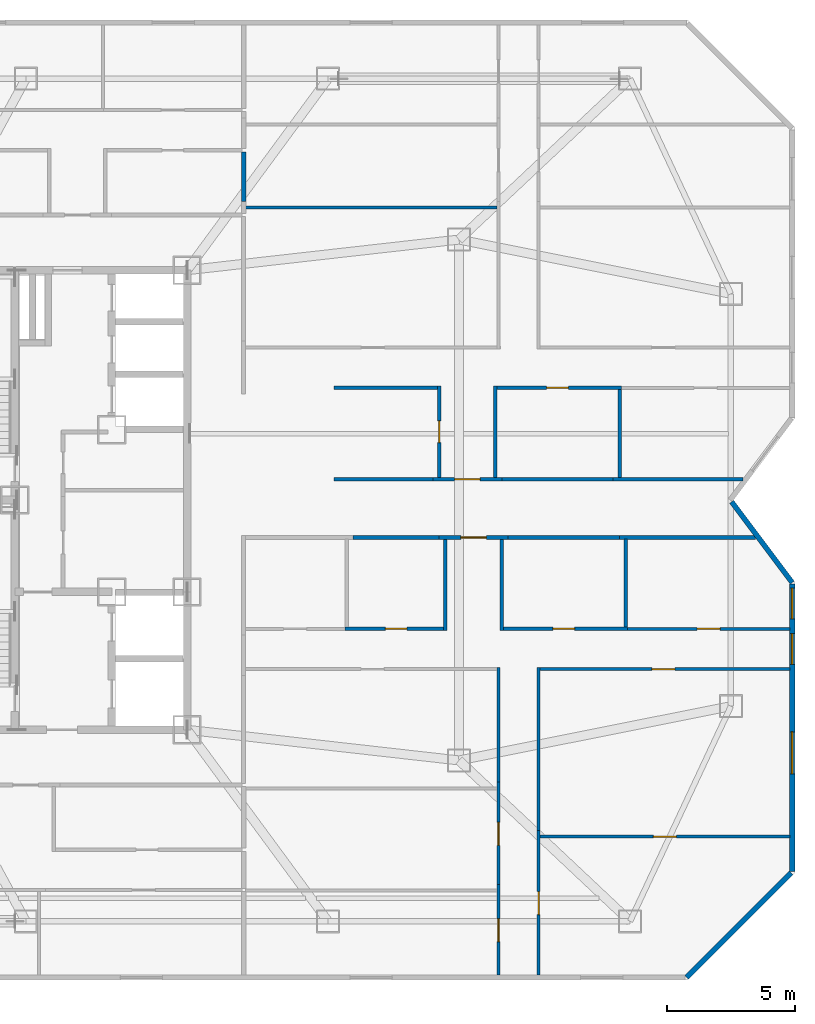
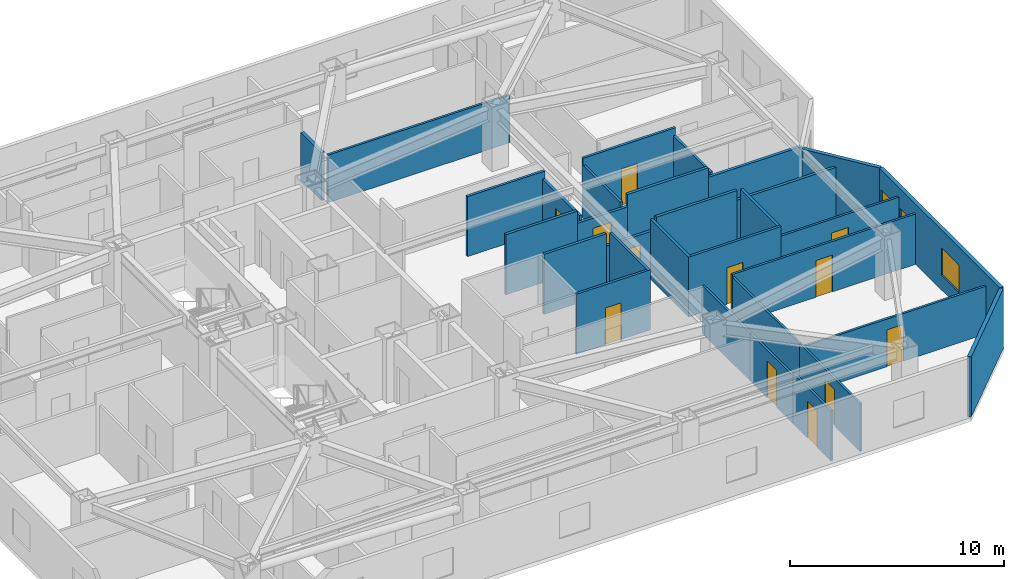
# One storey, part 8 of 11: 31 walls, 12 doors, 3 windows, 15 openings.
"""IFC4 building model written with IfcOpenShell, lengths in metres."""

from ifc_helpers import new_model, si_unit, direction, frame, frame_2d, origin, place, context, subcontext, project, spatial, rectangle, extrude, material, layer, layer_set, type_object, element, fill, save


model = new_model("IFC4")

# Units and contexts
model_context = context("Model", 3, precision=1e-05, world=origin(), true_north=direction((0.0, 1.0)))
body_context = subcontext(model_context, "Body", "Model", "MODEL_VIEW")
ifc_project = project(units=[si_unit("LENGTHUNIT", "METRE"), si_unit("AREAUNIT", "SQUARE_METRE"), si_unit("VOLUMEUNIT", "CUBIC_METRE"), si_unit("PLANEANGLEUNIT", "RADIAN"), si_unit("MASSUNIT", "GRAM", prefix="KILO")], contexts=[model_context])

# Site, building, storey
site_placement = place(None, origin())
site = spatial("IfcSite", under=ifc_project, at=site_placement, CompositionType="ELEMENT")
building_placement = place(site_placement, origin())
building = spatial("IfcBuilding", under=site, at=building_placement, Name="Khamvora Tower", CompositionType="ELEMENT")
storey_placement = place(building_placement, frame((0.0, 0.0, 163.199951171875)))
storey = spatial("IfcBuildingStorey", under=building, at=storey_placement, Name="L41", CompositionType="ELEMENT", Elevation=163.199951171875)

# Wall
ifc_material_1 = material(Name="Fire-Rated Drywall and Steel Stud", Category="steel")
ifc_layer_1 = layer(ifc_material_1, 0.14990234375)
ifc_layer_set_1 = layer_set([ifc_layer_1], Name="Fire-Rated Drywall and Steel Stud")
wall_type_1 = type_object("IfcWallType", Name="WAL-CORR-150", PredefinedType="STANDARD", material=ifc_layer_set_1)
wall_1_placement = place(storey_placement, frame((61.669921875, 26.534912109375, 0.0), z_axis=(0.0, 0.0, 1.0), x_axis=(-1.0, 0.0, 0.0)))
element("IfcWall", 1, at=wall_1_placement, inside=storey, type_object=wall_type_1, Name="L41 interior partition wall 024", PredefinedType="STANDARD", context=body_context, shape_type="SweptSolid", body=[
    extrude(rectangle(XDim=5.3359375, YDim=0.14990234375, at=frame_2d((2.66796875, 0.0))), origin(), (0.0, 0.0, 1.0), 2.8759765625),
])

# Wall, opening, door
wall_2_placement = place(storey_placement, frame((51.967041015625, 26.534912109375, 0.0), z_axis=(0.0, 0.0, 1.0), x_axis=(-1.0, 0.0, 0.0)))
wall_2 = element("IfcWall", 2, at=wall_2_placement, inside=storey, type_object=wall_type_1, Name="L41 interior partition wall 025", PredefinedType="STANDARD", context=body_context, shape_type="SweptSolid", body=[
    extrude(rectangle(XDim=2.697998046875, YDim=0.14990234375, at=frame_2d((1.34912109375, 0.0))), origin(), (0.0, 0.0, 1.0), 2.72509765625),
])
opening_1_placement = place(wall_2_placement, frame((0.84912109375, 0.0, 0.0)))
opening_1 = element("IfcOpeningElement", 3, at=opening_1_placement, cuts=wall_2, Name="Opening D-U1", PredefinedType="OPENING", context=body_context, shape_type="SweptSolid", body=[
    extrude(rectangle(XDim=1.0, YDim=2.14990234375, at=frame_2d((0.5, 1.074951171875))), frame((0.0, 0.0849609375, 0.0), z_axis=(0.0, -1.0, 0.0), x_axis=(1.0, 0.0, 0.0)), (0.0, 0.0, 1.0), 0.169921875),
])
ifc_material_2 = material(Name="Powder-Coated Steel and Hardwood Leaf", Category="steel")
door_type_1 = type_object("IfcDoorType", Name="DOR-UNIT-1000", OperationType="NOTDEFINED", PredefinedType="DOOR", material=ifc_material_2)
door_1_placement = place(opening_1_placement, origin())
door_1 = element("IfcDoor", 4, at=door_1_placement, inside=storey, type_object=door_type_1, Name="L41 interior door COR-41EAH", OperationType="SINGLE_SWING_LEFT", OverallHeight=2.14990234375, OverallWidth=1.0, PredefinedType="DOOR", context=body_context, shape_type="SweptSolid", body=[
    extrude(rectangle(XDim=1.0, YDim=2.14990234375, at=frame_2d((0.5, 1.074951171875))), frame((0.0, 0.02490234375, 0.0), z_axis=(0.0, -1.0, 0.0), x_axis=(1.0, 0.0, 0.0)), (0.0, 0.0, 1.0), 0.050048828125),
])
fill(opening_1, door_1)

# Walls
wall_3_placement = place(storey_placement, frame((49.26904296875, 26.534912109375, 0.0), z_axis=(0.0, 0.0, 1.0), x_axis=(-1.0, 0.0, 0.0)))
element("IfcWall", 5, at=wall_3_placement, inside=storey, type_object=wall_type_1, Name="L41 interior partition wall 027", PredefinedType="STANDARD", context=body_context, shape_type="SweptSolid", body=[
    extrude(rectangle(XDim=3.366943359375, YDim=0.14990234375, at=frame_2d((1.68359375, 0.0))), origin(), (0.0, 0.0, 1.0), 3.429931640625),
])
wall_4_placement = place(storey_placement, frame((56.333984375, 26.534912109375, 0.0), z_axis=(0.0, 0.0, 1.0), x_axis=(-1.0, 0.0, 0.0)))
element("IfcWall", 6, at=wall_4_placement, inside=storey, type_object=wall_type_1, Name="L41 interior partition wall 028", PredefinedType="STANDARD", context=body_context, shape_type="SweptSolid", body=[
    extrude(rectangle(XDim=4.366943359375, YDim=0.14990234375, at=frame_2d((2.18359375, 0.0))), origin(), (0.0, 0.0, 1.0), 3.429931640625),
])
wall_5_placement = place(storey_placement, frame((56.090087890625, 28.81494140625, 0.0), z_axis=(0.0, 0.0, 1.0), x_axis=(1.0, 0.0, 0.0)))
element("IfcWall", 7, at=wall_5_placement, inside=storey, type_object=wall_type_1, Name="L41 interior partition wall 030", PredefinedType="STANDARD", context=body_context, shape_type="SweptSolid", body=[
    extrude(rectangle(XDim=5.091796875, YDim=0.14990234375, at=frame_2d((2.5458984375, 0.0))), origin(), (0.0, 0.0, 1.0), 2.8759765625),
])

# Wall, opening, door
wall_6_placement = place(storey_placement, frame((49.02490234375, 28.81494140625, 0.0), z_axis=(0.0, 0.0, 1.0), x_axis=(1.0, 0.0, 0.0)))
wall_6 = element("IfcWall", 8, at=wall_6_placement, inside=storey, type_object=wall_type_1, Name="L41 interior partition wall 032", PredefinedType="STANDARD", context=body_context, shape_type="SweptSolid", body=[
    extrude(rectangle(XDim=2.69921875, YDim=0.14990234375, at=frame_2d((1.349609375, 0.0))), origin(), (0.0, 0.0, 1.0), 2.72509765625),
])
opening_2_placement = place(wall_6_placement, frame((0.84912109375, 0.0, 0.0)))
opening_2 = element("IfcOpeningElement", 9, at=opening_2_placement, cuts=wall_6, Name="Opening D-U1", PredefinedType="OPENING", context=body_context, shape_type="SweptSolid", body=[
    extrude(rectangle(XDim=1.0, YDim=2.14990234375, at=frame_2d((0.5, 1.074951171875))), frame((0.0, 0.0849609375, 0.0), z_axis=(0.0, -1.0, 0.0), x_axis=(1.0, 0.0, 0.0)), (0.0, 0.0, 1.0), 0.169921875),
])
door_2_placement = place(opening_2_placement, origin())
door_2 = element("IfcDoor", 10, at=door_2_placement, inside=storey, type_object=door_type_1, Name="L41 interior door COR-41EBH", OperationType="SINGLE_SWING_RIGHT", OverallHeight=2.14990234375, OverallWidth=1.0, PredefinedType="DOOR", context=body_context, shape_type="SweptSolid", body=[
    extrude(rectangle(XDim=1.0, YDim=2.14990234375, at=frame_2d((0.5, 1.074951171875))), frame((0.0, 0.02490234375, 0.0), z_axis=(0.0, -1.0, 0.0), x_axis=(1.0, 0.0, 0.0)), (0.0, 0.0, 1.0), 0.050048828125),
])
fill(opening_2, door_2)

# Walls
wall_7_placement = place(storey_placement, frame((45.159912109375, 28.81494140625, 0.0), z_axis=(0.0, 0.0, 1.0), x_axis=(1.0, 0.0, 0.0)))
element("IfcWall", 11, at=wall_7_placement, inside=storey, type_object=wall_type_1, Name="L41 interior partition wall 033", PredefinedType="STANDARD", context=body_context, shape_type="SweptSolid", body=[
    extrude(rectangle(XDim=3.864990234375, YDim=0.14990234375, at=frame_2d((1.9326171875, 0.0))), origin(), (0.0, 0.0, 1.0), 3.429931640625),
])
wall_8_placement = place(storey_placement, frame((51.72412109375, 28.81494140625, 0.0), z_axis=(0.0, 0.0, 1.0), x_axis=(1.0, 0.0, 0.0)))
element("IfcWall", 12, at=wall_8_placement, inside=storey, type_object=wall_type_1, Name="L41 interior partition wall 034", PredefinedType="STANDARD", context=body_context, shape_type="SweptSolid", body=[
    extrude(rectangle(XDim=4.365966796875, YDim=0.14990234375, at=frame_2d((2.18310546875, 0.0))), origin(), (0.0, 0.0, 1.0), 3.429931640625),
])
ifc_material_3 = material(Name="Acoustic Double-Stud Fire Wall", Category="gypsum")
ifc_layer_2 = layer(ifc_material_3, 0.179931640625)
ifc_layer_set_2 = layer_set([ifc_layer_2], Name="Acoustic Double-Stud Fire Wall")
wall_type_2 = type_object("IfcWallType", Name="WAL-CORR-180", PredefinedType="STANDARD", material=ifc_layer_set_2)
wall_9_placement = place(storey_placement, frame((41.614990234375, 41.6298828125, 0.0), z_axis=(0.0, 0.0, 1.0), x_axis=(0.0, -1.0, 0.0)))
element("IfcWall", 13, at=wall_9_placement, inside=storey, type_object=wall_type_2, Name="L41 interior partition wall 082", PredefinedType="STANDARD", context=body_context, shape_type="SweptSolid", body=[
    extrude(rectangle(XDim=1.928955078125, YDim=0.179931640625, at=frame_2d((0.96435546875, 0.0))), origin(), (0.0, 0.0, 1.0), 2.72509765625),
])
ifc_material_4 = material(Name="Precast concrete C40/50", Category="concrete")
ifc_layer_3 = layer(ifc_material_4, 0.199951171875)
ifc_layer_set_3 = layer_set([ifc_layer_3], Name="Precast concrete C40/50")
wall_type_3 = type_object("IfcWallType", Name="WAL-EXT-200", PredefinedType="STANDARD", material=ifc_layer_set_3)
wall_10_placement = place(storey_placement, frame((60.72705078125, 27.930908203125, 0.0), z_axis=(0.0, 0.0, 1.0), x_axis=(0.600029630681, -0.799977776132, 0.0)))
element("IfcWall", 14, at=wall_10_placement, inside=storey, type_object=wall_type_3, Name="L41 exterior facade wall 11.1", PredefinedType="STANDARD", context=body_context, shape_type="SweptSolid", body=[
    extrude(rectangle(XDim=3.954833984375, YDim=0.199951171875, at=frame_2d((1.9775390625, 0.0))), origin(), (0.0, 0.0, 1.0), 3.429931640625),
])

# Wall, openings, windows
wall_11_placement = place(storey_placement, frame((63.10009765625, 24.717041015625, 0.0), z_axis=(0.0, 0.0, 1.0), x_axis=(0.0, -1.0, 0.0)))
wall_11 = element("IfcWall", 15, at=wall_11_placement, inside=storey, type_object=wall_type_3, Name="L41 exterior facade wall 12.1", PredefinedType="STANDARD", context=body_context, shape_type="SweptSolid", body=[
    extrude(rectangle(XDim=11.276123046875, YDim=0.199951171875, at=frame_2d((5.63818359375, 0.0))), origin(), (0.0, 0.0, 1.0), 3.429931640625),
])
opening_3_placement = place(wall_11_placement, frame((0.173095703125, 0.0, 0.800048828125)))
opening_3 = element("IfcOpeningElement", 16, at=opening_3_placement, cuts=wall_11, Name="Opening WN-03", PredefinedType="OPENING", context=body_context, shape_type="SweptSolid", body=[
    extrude(rectangle(XDim=1.199951171875, YDim=1.5, at=frame_2d((0.60009765625, 0.75))), frame((0.0, 0.10986328125, 0.0), z_axis=(0.0, -1.0, 0.0), x_axis=(1.0, 0.0, 0.0)), (0.0, 0.0, 1.0), 0.219970703125),
])
opening_4_placement = place(wall_11_placement, frame((1.951904296875, 0.0, 0.800048828125)))
opening_4 = element("IfcOpeningElement", 17, at=opening_4_placement, cuts=wall_11, Name="Opening WN-03", PredefinedType="OPENING", context=body_context, shape_type="SweptSolid", body=[
    extrude(rectangle(XDim=1.199951171875, YDim=1.5, at=frame_2d((0.60009765625, 0.75))), frame((0.0, 0.10986328125, 0.0), z_axis=(0.0, -1.0, 0.0), x_axis=(1.0, 0.0, 0.0)), (0.0, 0.0, 1.0), 0.219970703125),
])
opening_5_placement = place(wall_11_placement, frame((5.798095703125, 0.0, 0.85009765625)))
opening_5 = element("IfcOpeningElement", 18, at=opening_5_placement, cuts=wall_11, Name="Opening WN-06", PredefinedType="OPENING", context=body_context, shape_type="SweptSolid", body=[
    extrude(rectangle(XDim=1.64990234375, YDim=1.550048828125, at=frame_2d((0.824951171875, 0.77490234375))), frame((0.0, 0.10986328125, 0.0), z_axis=(0.0, -1.0, 0.0), x_axis=(1.0, 0.0, 0.0)), (0.0, 0.0, 1.0), 0.219970703125),
])
ifc_material_5 = material(Name="Low-E Laminated Double Glazing", Category="glass")
window_type_1 = type_object("IfcWindowType", Name="WIN-VIS-1200x1500", PartitioningType="SINGLE_PANEL", PredefinedType="WINDOW", material=ifc_material_5)
window_1_placement = place(opening_3_placement, origin())
window_1 = element("IfcWindow", 19, at=window_1_placement, inside=storey, type_object=window_type_1, Name="L41 vision window 12.1.01", OverallHeight=1.5, OverallWidth=1.199951171875, PartitioningType="SINGLE_PANEL", PredefinedType="WINDOW", context=body_context, shape_type="SweptSolid", body=[
    extrude(rectangle(XDim=1.199951171875, YDim=1.5, at=frame_2d((0.60009765625, 0.75))), frame((0.0, 0.030029296875, 0.0), z_axis=(0.0, -1.0, 0.0), x_axis=(1.0, 0.0, 0.0)), (0.0, 0.0, 1.0), 0.06005859375),
])
fill(opening_3, window_1)
window_2_placement = place(opening_4_placement, origin())
window_2 = element("IfcWindow", 20, at=window_2_placement, inside=storey, type_object=window_type_1, Name="L41 vision window 12.1.02", OverallHeight=1.5, OverallWidth=1.199951171875, PartitioningType="SINGLE_PANEL", PredefinedType="WINDOW", context=body_context, shape_type="SweptSolid", body=[
    extrude(rectangle(XDim=1.199951171875, YDim=1.5, at=frame_2d((0.60009765625, 0.75))), frame((0.0, 0.030029296875, 0.0), z_axis=(0.0, -1.0, 0.0), x_axis=(1.0, 0.0, 0.0)), (0.0, 0.0, 1.0), 0.06005859375),
])
fill(opening_4, window_2)
window_type_2 = type_object("IfcWindowType", Name="WIN-VIS-1650x1550", PartitioningType="SINGLE_PANEL", PredefinedType="WINDOW", material=ifc_material_5)
window_3_placement = place(opening_5_placement, origin())
window_3 = element("IfcWindow", 21, at=window_3_placement, inside=storey, type_object=window_type_2, Name="L41 vision window 12.1.03", OverallHeight=1.550048828125, OverallWidth=1.64990234375, PartitioningType="SINGLE_PANEL", PredefinedType="WINDOW", context=body_context, shape_type="SweptSolid", body=[
    extrude(rectangle(XDim=1.64990234375, YDim=1.550048828125, at=frame_2d((0.824951171875, 0.77490234375))), frame((0.0, 0.030029296875, 0.0), z_axis=(0.0, -1.0, 0.0), x_axis=(1.0, 0.0, 0.0)), (0.0, 0.0, 1.0), 0.06005859375),
])
fill(opening_5, window_3)

# Wall
wall_12_placement = place(storey_placement, frame((63.056884765625, 13.39794921875, 0.0), z_axis=(0.0, 0.0, 1.0), x_axis=(-0.707106781187, -0.707106781187, 0.0)))
element("IfcWall", 22, at=wall_12_placement, inside=storey, type_object=wall_type_3, Name="L41 exterior facade wall 13.1", PredefinedType="STANDARD", context=body_context, shape_type="SweptSolid", body=[
    extrude(rectangle(XDim=5.79541015625, YDim=0.199951171875, at=frame_2d((2.897705078125, 0.0))), origin(), (0.0, 0.0, 1.0), 3.429931640625),
])

# Wall, opening, door
ifc_material_6 = material(Name="Gypsum Plasterboard Partition", Category="gypsum")
ifc_layer_4 = layer(ifc_material_6, 0.1201171875)
ifc_layer_set_4 = layer_set([ifc_layer_4], Name="Gypsum Plasterboard Partition")
wall_type_4 = type_object("IfcWallType", Name="WAL-PART-120", PredefinedType="PARTITIONING", material=ifc_layer_set_4)
wall_13_placement = place(storey_placement, frame((63.008056640625, 22.955078125, 0.0), z_axis=(0.0, 0.0, 1.0), x_axis=(-1.0, 0.0, 0.0)))
wall_13 = element("IfcWall", 23, at=wall_13_placement, inside=storey, type_object=wall_type_4, Name="L41 interior partition wall 087", PredefinedType="PARTITIONING", context=body_context, shape_type="SweptSolid", body=[
    extrude(rectangle(XDim=6.360107421875, YDim=0.1201171875, at=frame_2d((3.18017578125, 0.0))), origin(), (0.0, 0.0, 1.0), 2.8759765625),
])
opening_6_placement = place(wall_13_placement, frame((2.72998046875, 0.0, 0.0)))
opening_6 = element("IfcOpeningElement", 24, at=opening_6_placement, cuts=wall_13, Name="Opening D-RM1", PredefinedType="OPENING", context=body_context, shape_type="SweptSolid", body=[
    extrude(rectangle(XDim=0.89990234375, YDim=2.10009765625, at=frame_2d((0.449951171875, 1.050048828125))), frame((0.0, 0.070068359375, 0.0), z_axis=(0.0, -1.0, 0.0), x_axis=(1.0, 0.0, 0.0)), (0.0, 0.0, 1.0), 0.14013671875),
])
door_type_2 = type_object("IfcDoorType", Name="DOR-ROOM-900", OperationType="NOTDEFINED", PredefinedType="DOOR", material=ifc_material_2)
door_3_placement = place(opening_6_placement, origin())
door_3 = element("IfcDoor", 25, at=door_3_placement, inside=storey, type_object=door_type_2, Name="L41 interior door 41EAW2-41EAH", OperationType="SINGLE_SWING_LEFT", OverallHeight=2.10009765625, OverallWidth=0.89990234375, PredefinedType="DOOR", context=body_context, shape_type="SweptSolid", body=[
    extrude(rectangle(XDim=0.89990234375, YDim=2.10009765625, at=frame_2d((0.449951171875, 1.050048828125))), frame((0.0, 0.02490234375, 0.0), z_axis=(0.0, -1.0, 0.0), x_axis=(1.0, 0.0, 0.0)), (0.0, 0.0, 1.0), 0.050048828125),
])
fill(opening_6, door_3)

wall_14_placement = place(storey_placement, frame((51.60009765625, 9.39208984375, 0.0), z_axis=(0.0, 0.0, 1.0), x_axis=(0.0, 1.0, 0.0)))
wall_14 = element("IfcWall", 26, at=wall_14_placement, inside=storey, type_object=wall_type_4, Name="L41 interior partition wall 093", PredefinedType="PARTITIONING", context=body_context, shape_type="SweptSolid", body=[
    extrude(rectangle(XDim=3.555908203125, YDim=0.1201171875, at=frame_2d((1.77783203125, 0.0))), origin(), (0.0, 0.0, 1.0), 2.8759765625),
])
opening_7_placement = place(wall_14_placement, frame((1.306884765625, 0.0, 0.0)))
opening_7 = element("IfcOpeningElement", 27, at=opening_7_placement, cuts=wall_14, Name="Opening D-RM1", PredefinedType="OPENING", context=body_context, shape_type="SweptSolid", body=[
    extrude(rectangle(XDim=0.89990234375, YDim=2.10009765625, at=frame_2d((0.449951171875, 1.050048828125))), frame((0.0, 0.070068359375, 0.0), z_axis=(0.0, -1.0, 0.0), x_axis=(1.0, 0.0, 0.0)), (0.0, 0.0, 1.0), 0.14013671875),
])
door_4_placement = place(opening_7_placement, origin())
door_4 = element("IfcDoor", 28, at=door_4_placement, inside=storey, type_object=door_type_2, Name="L41 interior door 41EAH-41EAL", OperationType="SINGLE_SWING_RIGHT", OverallHeight=2.10009765625, OverallWidth=0.89990234375, PredefinedType="DOOR", context=body_context, shape_type="SweptSolid", body=[
    extrude(rectangle(XDim=0.89990234375, YDim=2.10009765625, at=frame_2d((0.449951171875, 1.050048828125))), frame((0.0, 0.02490234375, 0.0), z_axis=(0.0, -1.0, 0.0), x_axis=(1.0, 0.0, 0.0)), (0.0, 0.0, 1.0), 0.050048828125),
])
fill(opening_7, door_4)

wall_15_placement = place(storey_placement, frame((51.60009765625, 12.947998046875, 0.0), z_axis=(0.0, 0.0, 1.0), x_axis=(0.0, 1.0, 0.0)))
wall_15 = element("IfcWall", 29, at=wall_15_placement, inside=storey, type_object=wall_type_4, Name="L41 interior partition wall 094", PredefinedType="PARTITIONING", context=body_context, shape_type="SweptSolid", body=[
    extrude(rectangle(XDim=4.0, YDim=0.1201171875, at=frame_2d((2.0, 0.0))), origin(), (0.0, 0.0, 1.0), 2.72509765625),
])
opening_8_placement = place(wall_15_placement, frame((1.529052734375, 0.0, 0.0)))
opening_8 = element("IfcOpeningElement", 30, at=opening_8_placement, cuts=wall_15, Name="Opening D-RM1", PredefinedType="OPENING", context=body_context, shape_type="SweptSolid", body=[
    extrude(rectangle(XDim=0.89990234375, YDim=2.10009765625, at=frame_2d((0.449951171875, 1.050048828125))), frame((0.0, 0.070068359375, 0.0), z_axis=(0.0, -1.0, 0.0), x_axis=(1.0, 0.0, 0.0)), (0.0, 0.0, 1.0), 0.14013671875),
])
door_5_placement = place(opening_8_placement, origin())
door_5 = element("IfcDoor", 31, at=door_5_placement, inside=storey, type_object=door_type_2, Name="L41 interior door 41EAH-41EAR2", OperationType="SINGLE_SWING_LEFT", OverallHeight=2.10009765625, OverallWidth=0.89990234375, PredefinedType="DOOR", context=body_context, shape_type="SweptSolid", body=[
    extrude(rectangle(XDim=0.89990234375, YDim=2.10009765625, at=frame_2d((0.449951171875, 1.050048828125))), frame((0.0, 0.02490234375, 0.0), z_axis=(0.0, -1.0, 0.0), x_axis=(1.0, 0.0, 0.0)), (0.0, 0.0, 1.0), 0.050048828125),
])
fill(opening_8, door_5)

# Wall
wall_16_placement = place(storey_placement, frame((51.60009765625, 16.947998046875, 0.0), z_axis=(0.0, 0.0, 1.0), x_axis=(0.0, 1.0, 0.0)))
element("IfcWall", 32, at=wall_16_placement, inside=storey, type_object=wall_type_4, Name="L41 interior partition wall 095", PredefinedType="PARTITIONING", context=body_context, shape_type="SweptSolid", body=[
    extrude(rectangle(XDim=4.491943359375, YDim=0.1201171875, at=frame_2d((2.24609375, 0.0))), origin(), (0.0, 0.0, 1.0), 2.72509765625),
])

# Wall, opening, door
wall_17_placement = place(storey_placement, frame((53.169921875, 15.06298828125, 0.0), z_axis=(0.0, 0.0, 1.0), x_axis=(0.0, -1.0, 0.0)))
wall_17 = element("IfcWall", 33, at=wall_17_placement, inside=storey, type_object=wall_type_4, Name="L41 interior partition wall 097", PredefinedType="PARTITIONING", context=body_context, shape_type="SweptSolid", body=[
    extrude(rectangle(XDim=5.6708984375, YDim=0.1201171875, at=frame_2d((2.83544921875, 0.0))), origin(), (0.0, 0.0, 1.0), 2.72509765625),
])
opening_9_placement = place(wall_17_placement, frame((2.406005859375, 0.0, 0.0)))
opening_9 = element("IfcOpeningElement", 34, at=opening_9_placement, cuts=wall_17, Name="Opening D-RM1", PredefinedType="OPENING", context=body_context, shape_type="SweptSolid", body=[
    extrude(rectangle(XDim=0.89990234375, YDim=2.10009765625, at=frame_2d((0.449951171875, 1.050048828125))), frame((0.0, 0.070068359375, 0.0), z_axis=(0.0, -1.0, 0.0), x_axis=(1.0, 0.0, 0.0)), (0.0, 0.0, 1.0), 0.14013671875),
])
door_6_placement = place(opening_9_placement, origin())
door_6 = element("IfcDoor", 35, at=door_6_placement, inside=storey, type_object=door_type_2, Name="L41 interior door 41EAH-41EAR4", OperationType="SINGLE_SWING_LEFT", OverallHeight=2.10009765625, OverallWidth=0.89990234375, PredefinedType="DOOR", context=body_context, shape_type="SweptSolid", body=[
    extrude(rectangle(XDim=0.89990234375, YDim=2.10009765625, at=frame_2d((0.449951171875, 1.050048828125))), frame((0.0, 0.02490234375, 0.0), z_axis=(0.0, -1.0, 0.0), x_axis=(1.0, 0.0, 0.0)), (0.0, 0.0, 1.0), 0.050048828125),
])
fill(opening_9, door_6)

wall_18_placement = place(storey_placement, frame((63.008056640625, 21.375, 0.0), z_axis=(0.0, 0.0, 1.0), x_axis=(-1.0, 0.0, 0.0)))
wall_18 = element("IfcWall", 36, at=wall_18_placement, inside=storey, type_object=wall_type_4, Name="L41 interior partition wall 098", PredefinedType="PARTITIONING", context=body_context, shape_type="SweptSolid", body=[
    extrude(rectangle(XDim=9.903076171875, YDim=0.1201171875, at=frame_2d((4.95166015625, 0.0))), origin(), (0.0, 0.0, 1.0), 2.8759765625),
])
opening_10_placement = place(wall_18_placement, frame((4.501953125, 0.0, 0.0)))
opening_10 = element("IfcOpeningElement", 37, at=opening_10_placement, cuts=wall_18, Name="Opening D-RM1", PredefinedType="OPENING", context=body_context, shape_type="SweptSolid", body=[
    extrude(rectangle(XDim=0.89990234375, YDim=2.10009765625, at=frame_2d((0.449951171875, 1.050048828125))), frame((0.0, 0.070068359375, 0.0), z_axis=(0.0, -1.0, 0.0), x_axis=(1.0, 0.0, 0.0)), (0.0, 0.0, 1.0), 0.14013671875),
])
door_7_placement = place(opening_10_placement, origin())
door_7 = element("IfcDoor", 38, at=door_7_placement, inside=storey, type_object=door_type_2, Name="L41 interior door 41EAH-41EAR5", OperationType="SINGLE_SWING_RIGHT", OverallHeight=2.10009765625, OverallWidth=0.89990234375, PredefinedType="DOOR", context=body_context, shape_type="SweptSolid", body=[
    extrude(rectangle(XDim=0.89990234375, YDim=2.10009765625, at=frame_2d((0.449951171875, 1.050048828125))), frame((0.0, 0.02490234375, 0.0), z_axis=(0.0, -1.0, 0.0), x_axis=(1.0, 0.0, 0.0)), (0.0, 0.0, 1.0), 0.050048828125),
])
fill(opening_10, door_7)

# Wall
wall_19_placement = place(storey_placement, frame((53.169921875, 21.43994140625, 0.0), z_axis=(0.0, 0.0, 1.0), x_axis=(0.0, -1.0, 0.0)))
element("IfcWall", 39, at=wall_19_placement, inside=storey, type_object=wall_type_4, Name="L41 interior partition wall 099", PredefinedType="PARTITIONING", context=body_context, shape_type="SweptSolid", body=[
    extrude(rectangle(XDim=6.376953125, YDim=0.1201171875, at=frame_2d((3.1884765625, 0.0))), origin(), (0.0, 0.0, 1.0), 2.72509765625),
])

# Wall, opening, door
wall_20_placement = place(storey_placement, frame((53.22412109375, 14.81396484375, 0.0), z_axis=(0.0, 0.0, 1.0), x_axis=(1.0, 0.0, 0.0)))
wall_20 = element("IfcWall", 40, at=wall_20_placement, inside=storey, type_object=wall_type_4, Name="L41 interior partition wall 102", PredefinedType="PARTITIONING", context=body_context, shape_type="SweptSolid", body=[
    extrude(rectangle(XDim=9.783935546875, YDim=0.1201171875, at=frame_2d((4.89208984375, 0.0))), origin(), (0.0, 0.0, 1.0), 2.72509765625),
])
opening_11_placement = place(wall_20_placement, frame((4.44189453125, 0.0, 0.0)))
opening_11 = element("IfcOpeningElement", 41, at=opening_11_placement, cuts=wall_20, Name="Opening D-RM1", PredefinedType="OPENING", context=body_context, shape_type="SweptSolid", body=[
    extrude(rectangle(XDim=0.89990234375, YDim=2.10009765625, at=frame_2d((0.449951171875, 1.050048828125))), frame((0.0, 0.070068359375, 0.0), z_axis=(0.0, -1.0, 0.0), x_axis=(1.0, 0.0, 0.0)), (0.0, 0.0, 1.0), 0.14013671875),
])
door_8_placement = place(opening_11_placement, origin())
door_8 = element("IfcDoor", 42, at=door_8_placement, inside=storey, type_object=door_type_2, Name="L41 interior door 41EAR4-41EAR5", OperationType="SINGLE_SWING_LEFT", OverallHeight=2.10009765625, OverallWidth=0.89990234375, PredefinedType="DOOR", context=body_context, shape_type="SweptSolid", body=[
    extrude(rectangle(XDim=0.89990234375, YDim=2.10009765625, at=frame_2d((0.449951171875, 1.050048828125))), frame((0.0, 0.02490234375, 0.0), z_axis=(0.0, -1.0, 0.0), x_axis=(1.0, 0.0, 0.0)), (0.0, 0.0, 1.0), 0.050048828125),
])
fill(opening_11, door_8)

# Walls
wall_21_placement = place(storey_placement, frame((41.697021484375, 39.451904296875, 0.0), z_axis=(0.0, 0.0, 1.0), x_axis=(1.0, 0.0, 0.0)))
element("IfcWall", 43, at=wall_21_placement, inside=storey, type_object=wall_type_4, Name="L41 interior partition wall 117", PredefinedType="PARTITIONING", context=body_context, shape_type="SweptSolid", body=[
    extrude(rectangle(XDim=9.848876953125, YDim=0.1201171875, at=frame_2d((4.92431640625, 0.0))), origin(), (0.0, 0.0, 1.0), 2.72509765625),
])
ifc_material_7 = material(Name="Moisture-Resistant Plasterboard Partition", Category="gypsum")
ifc_layer_5 = layer(ifc_material_7, 0.135009765625)
ifc_layer_set_5 = layer_set([ifc_layer_5], Name="Moisture-Resistant Plasterboard Partition")
wall_type_5 = type_object("IfcWallType", Name="WAL-WET-135", PredefinedType="PARTITIONING", material=ifc_layer_set_5)
wall_22_placement = place(storey_placement, frame((56.5830078125, 23.02001953125, 0.0), z_axis=(0.0, 0.0, 1.0), x_axis=(0.0, 1.0, 0.0)))
element("IfcWall", 44, at=wall_22_placement, inside=storey, type_object=wall_type_5, Name="L41 interior partition wall 088", PredefinedType="PARTITIONING", context=body_context, shape_type="SweptSolid", body=[
    extrude(rectangle(XDim=3.449951171875, YDim=0.135009765625, at=frame_2d((1.72509765625, 0.0))), origin(), (0.0, 0.0, 1.0), 3.429931640625),
])

# Wall, opening, door
wall_23_placement = place(storey_placement, frame((45.587890625, 22.955078125, 0.0), z_axis=(0.0, 0.0, 1.0), x_axis=(1.0, 0.0, 0.0)))
wall_23 = element("IfcWall", 45, at=wall_23_placement, inside=storey, type_object=wall_type_5, Name="L41 interior partition wall 089", PredefinedType="PARTITIONING", context=body_context, shape_type="SweptSolid", body=[
    extrude(rectangle(XDim=3.9951171875, YDim=0.135009765625, at=frame_2d((1.99755859375, 0.0))), origin(), (0.0, 0.0, 1.0), 3.429931640625),
])
opening_12_placement = place(wall_23_placement, frame((1.572998046875, 0.0, 0.0)))
opening_12 = element("IfcOpeningElement", 46, at=opening_12_placement, cuts=wall_23, Name="Opening D-WC1", PredefinedType="OPENING", context=body_context, shape_type="SweptSolid", body=[
    extrude(rectangle(XDim=0.85009765625, YDim=2.10009765625, at=frame_2d((0.425048828125, 1.050048828125))), frame((0.0, 0.077392578125, 0.0), z_axis=(0.0, -1.0, 0.0), x_axis=(1.0, 0.0, 0.0)), (0.0, 0.0, 1.0), 0.155029296875),
])
door_type_3 = type_object("IfcDoorType", Name="DOR-WET-850", OperationType="NOTDEFINED", PredefinedType="DOOR", material=ifc_material_2)
door_9_placement = place(opening_12_placement, origin())
door_9 = element("IfcDoor", 47, at=door_9_placement, inside=storey, type_object=door_type_3, Name="L41 interior door 41EAH-41EAB", OperationType="SINGLE_SWING_RIGHT", OverallHeight=2.10009765625, OverallWidth=0.85009765625, PredefinedType="DOOR", context=body_context, shape_type="SweptSolid", body=[
    extrude(rectangle(XDim=0.85009765625, YDim=2.10009765625, at=frame_2d((0.425048828125, 1.050048828125))), frame((0.0, 0.02490234375, 0.0), z_axis=(0.0, -1.0, 0.0), x_axis=(1.0, 0.0, 0.0)), (0.0, 0.0, 1.0), 0.050048828125),
])
fill(opening_12, door_9)

# Walls
for number, where, z_axis, x_axis, name in (
    (48, (49.51806640625, 22.889892578125, 0.0), (0.0, 0.0, 1.0), (0.0, 1.0, 0.0), "L41 interior partition wall 090"),
    (49, (51.718017578125, 26.469970703125, 0.0), (0.0, 0.0, 1.0), (0.0, -1.0, 0.0), "L41 interior partition wall 091"),
):
    element("IfcWall", number, at=place(storey_placement, frame(where, z_axis=z_axis, x_axis=x_axis)), inside=storey, type_object=wall_type_5, Name=name, PredefinedType="PARTITIONING", context=body_context, shape_type="SweptSolid", body=[
        extrude(rectangle(XDim=3.580078125, YDim=0.135009765625, at=frame_2d((1.7900390625, 0.0))), origin(), (0.0, 0.0, 1.0), 3.429931640625),
    ])

# Wall, opening, door
wall_24_placement = place(storey_placement, frame((51.653076171875, 22.955078125, 0.0), z_axis=(0.0, 0.0, 1.0), x_axis=(1.0, 0.0, 0.0)))
wall_24 = element("IfcWall", 50, at=wall_24_placement, inside=storey, type_object=wall_type_5, Name="L41 interior partition wall 092", PredefinedType="PARTITIONING", context=body_context, shape_type="SweptSolid", body=[
    extrude(rectangle(XDim=4.994873046875, YDim=0.135009765625, at=frame_2d((2.49755859375, 0.0))), origin(), (0.0, 0.0, 1.0), 3.429931640625),
])
opening_13_placement = place(wall_24_placement, frame((2.072998046875, 0.0, 0.0)))
opening_13 = element("IfcOpeningElement", 51, at=opening_13_placement, cuts=wall_24, Name="Opening D-RM2", PredefinedType="OPENING", context=body_context, shape_type="SweptSolid", body=[
    extrude(rectangle(XDim=0.85009765625, YDim=2.10009765625, at=frame_2d((0.425048828125, 1.050048828125))), frame((0.0, 0.077392578125, 0.0), z_axis=(0.0, -1.0, 0.0), x_axis=(1.0, 0.0, 0.0)), (0.0, 0.0, 1.0), 0.155029296875),
])
door_type_4 = type_object("IfcDoorType", Name="DOR-ROOM-850", OperationType="NOTDEFINED", PredefinedType="DOOR", material=ifc_material_2)
door_10_placement = place(opening_13_placement, origin())
door_10 = element("IfcDoor", 52, at=door_10_placement, inside=storey, type_object=door_type_4, Name="L41 interior door 41EAH-41EAK", OperationType="SINGLE_SWING_LEFT", OverallHeight=2.10009765625, OverallWidth=0.85009765625, PredefinedType="DOOR", context=body_context, shape_type="SweptSolid", body=[
    extrude(rectangle(XDim=0.85009765625, YDim=2.10009765625, at=frame_2d((0.425048828125, 1.050048828125))), frame((0.0, 0.02490234375, 0.0), z_axis=(0.0, -1.0, 0.0), x_axis=(1.0, 0.0, 0.0)), (0.0, 0.0, 1.0), 0.050048828125),
])
fill(opening_13, door_10)

# Wall
wall_25_placement = place(storey_placement, frame((56.339111328125, 28.882080078125, 0.0), z_axis=(0.0, 0.0, 1.0), x_axis=(0.0, 1.0, 0.0)))
element("IfcWall", 53, at=wall_25_placement, inside=storey, type_object=wall_type_5, Name="L41 interior partition wall 104", PredefinedType="PARTITIONING", context=body_context, shape_type="SweptSolid", body=[
    extrude(rectangle(XDim=3.447998046875, YDim=0.135009765625, at=frame_2d((1.72412109375, 0.0))), origin(), (0.0, 0.0, 1.0), 3.012939453125),
])

# Wall, opening, door
wall_26_placement = place(storey_placement, frame((49.27392578125, 28.882080078125, 0.0), z_axis=(0.0, 0.0, 1.0), x_axis=(0.0, 1.0, 0.0)))
wall_26 = element("IfcWall", 54, at=wall_26_placement, inside=storey, type_object=wall_type_5, Name="L41 interior partition wall 105", PredefinedType="PARTITIONING", context=body_context, shape_type="SweptSolid", body=[
    extrude(rectangle(XDim=3.577880859375, YDim=0.135009765625, at=frame_2d((1.7890625, 0.0))), origin(), (0.0, 0.0, 1.0), 3.012939453125),
])
opening_14_placement = place(wall_26_placement, frame((1.364013671875, 0.0, 0.0)))
opening_14 = element("IfcOpeningElement", 55, at=opening_14_placement, cuts=wall_26, Name="Opening D-WC1", PredefinedType="OPENING", context=body_context, shape_type="SweptSolid", body=[
    extrude(rectangle(XDim=0.85009765625, YDim=2.10009765625, at=frame_2d((0.425048828125, 1.050048828125))), frame((0.0, 0.077392578125, 0.0), z_axis=(0.0, -1.0, 0.0), x_axis=(1.0, 0.0, 0.0)), (0.0, 0.0, 1.0), 0.155029296875),
])
door_11_placement = place(opening_14_placement, origin())
door_11 = element("IfcDoor", 56, at=door_11_placement, inside=storey, type_object=door_type_3, Name="L41 interior door 41EBH-41EBB", OperationType="SINGLE_SWING_LEFT", OverallHeight=2.10009765625, OverallWidth=0.85009765625, PredefinedType="DOOR", context=body_context, shape_type="SweptSolid", body=[
    extrude(rectangle(XDim=0.85009765625, YDim=2.10009765625, at=frame_2d((0.425048828125, 1.050048828125))), frame((0.0, 0.02490234375, 0.0), z_axis=(0.0, -1.0, 0.0), x_axis=(1.0, 0.0, 0.0)), (0.0, 0.0, 1.0), 0.050048828125),
])
fill(opening_14, door_11)

# Wall
wall_27_placement = place(storey_placement, frame((49.339111328125, 32.39501953125, 0.0), z_axis=(0.0, 0.0, 1.0), x_axis=(-1.0, 0.0, 0.0)))
element("IfcWall", 57, at=wall_27_placement, inside=storey, type_object=wall_type_5, Name="L41 interior partition wall 106", PredefinedType="PARTITIONING", context=body_context, shape_type="SweptSolid", body=[
    extrude(rectangle(XDim=4.17919921875, YDim=0.135009765625, at=frame_2d((2.089599609375, 0.0))), origin(), (0.0, 0.0, 1.0), 3.429931640625),
])

# Wall, opening, door
wall_28_placement = place(storey_placement, frame((56.404052734375, 32.39501953125, 0.0), z_axis=(0.0, 0.0, 1.0), x_axis=(-1.0, 0.0, 0.0)))
wall_28 = element("IfcWall", 58, at=wall_28_placement, inside=storey, type_object=wall_type_5, Name="L41 interior partition wall 107", PredefinedType="PARTITIONING", context=body_context, shape_type="SweptSolid", body=[
    extrude(rectangle(XDim=4.9951171875, YDim=0.135009765625, at=frame_2d((2.49755859375, 0.0))), origin(), (0.0, 0.0, 1.0), 3.429931640625),
])
opening_15_placement = place(wall_28_placement, frame((2.072998046875, 0.0, 0.0)))
opening_15 = element("IfcOpeningElement", 59, at=opening_15_placement, cuts=wall_28, Name="Opening D-RM2", PredefinedType="OPENING", context=body_context, shape_type="SweptSolid", body=[
    extrude(rectangle(XDim=0.85009765625, YDim=2.10009765625, at=frame_2d((0.425048828125, 1.050048828125))), frame((0.0, 0.077392578125, 0.0), z_axis=(0.0, -1.0, 0.0), x_axis=(1.0, 0.0, 0.0)), (0.0, 0.0, 1.0), 0.155029296875),
])
door_12_placement = place(opening_15_placement, origin())
door_12 = element("IfcDoor", 60, at=door_12_placement, inside=storey, type_object=door_type_4, Name="L41 interior door 41EBH-41EBK", OperationType="SINGLE_SWING_RIGHT", OverallHeight=2.10009765625, OverallWidth=0.85009765625, PredefinedType="DOOR", context=body_context, shape_type="SweptSolid", body=[
    extrude(rectangle(XDim=0.85009765625, YDim=2.10009765625, at=frame_2d((0.425048828125, 1.050048828125))), frame((0.0, 0.02490234375, 0.0), z_axis=(0.0, -1.0, 0.0), x_axis=(1.0, 0.0, 0.0)), (0.0, 0.0, 1.0), 0.050048828125),
])
fill(opening_15, door_12)

# Wall
wall_29_placement = place(storey_placement, frame((51.47412109375, 32.4599609375, 0.0), z_axis=(0.0, 0.0, 1.0), x_axis=(0.0, -1.0, 0.0)))
element("IfcWall", 61, at=wall_29_placement, inside=storey, type_object=wall_type_5, Name="L41 interior partition wall 108", PredefinedType="PARTITIONING", context=body_context, shape_type="SweptSolid", body=[
    extrude(rectangle(XDim=3.577880859375, YDim=0.135009765625, at=frame_2d((1.7890625, 0.0))), origin(), (0.0, 0.0, 1.0), 3.012939453125),
])

save(model, "model.ifc")
